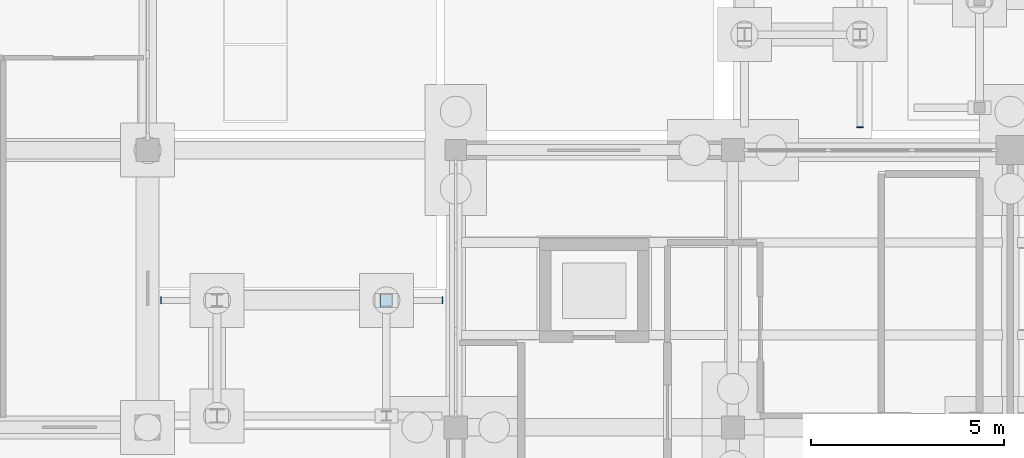
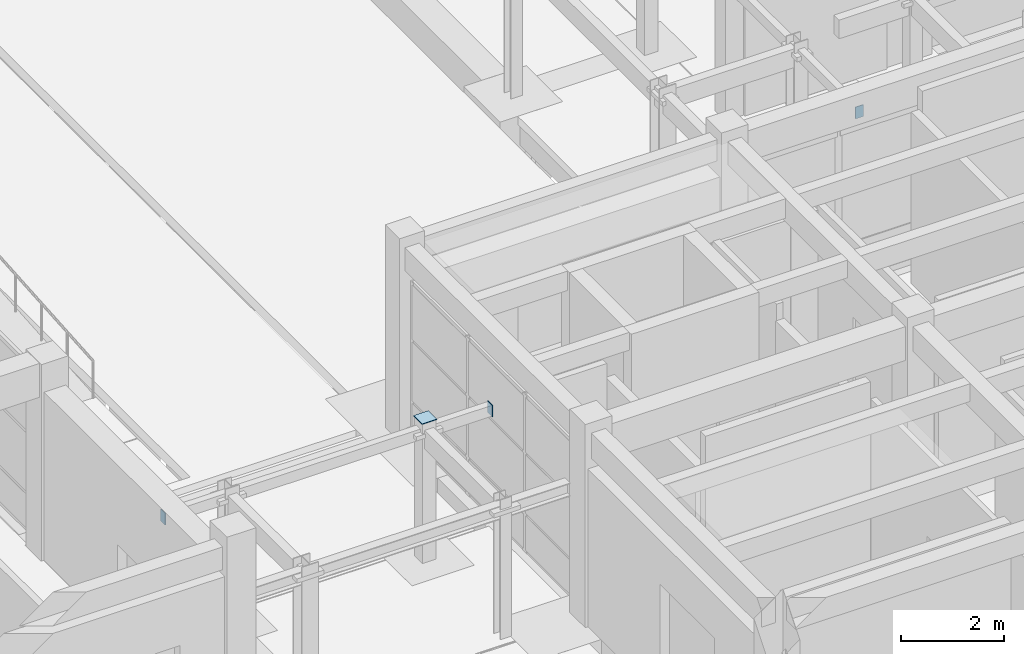
# One storey, part 88 of 143: 4 plates.
"""IFC4 building model written with IfcOpenShell, lengths in metres."""

from ifc_helpers import new_model, si_unit, direction, frame, origin, origin_2d, place, context, subcontext, project, spatial, rectangle, extrude, material, layer, layer_set, type_object, element, save


model = new_model("IFC4")

# Units and contexts
model_context = context("Model", 3, precision=1e-05, world=origin(), true_north=direction((0.0, 1.0)))
body_context = subcontext(model_context, "Body", "Model", "MODEL_VIEW")
ifc_project = project(units=[si_unit("LENGTHUNIT", "METRE"), si_unit("AREAUNIT", "SQUARE_METRE"), si_unit("VOLUMEUNIT", "CUBIC_METRE"), si_unit("PLANEANGLEUNIT", "RADIAN"), si_unit("MASSUNIT", "GRAM", prefix="KILO")], contexts=[model_context])

# Site, building, storey
site_placement = place(None, origin())
site = spatial("IfcSite", under=ifc_project, at=site_placement, CompositionType="ELEMENT")
building_placement = place(site_placement, origin())
building = spatial("IfcBuilding", under=site, at=building_placement, Name="Steenspoor Specialist Clinic", CompositionType="ELEMENT")
storey_placement = place(building_placement, origin())
storey = spatial("IfcBuildingStorey", under=building, at=storey_placement, Name="L00", CompositionType="ELEMENT", Elevation=0.0)

# Plates
ifc_material = material(Name="Steel A572 Grade 50", Category="steel")
ifc_layer = layer(ifc_material, 0.01611328125)
ifc_layer_set = layer_set([ifc_layer], Name="Steel A572 Grade 50")
plate_type = type_object("IfcPlateType", Name="PL-GUS-16", PredefinedType="SHEET", material=ifc_layer_set)
plate_1_placement = place(storey_placement, frame((43.39990234375, 37.949951171875, 3.2978515625), z_axis=(0.0, 0.0, 1.0), x_axis=(1.0, 0.0, 0.0)))
element("IfcPlate", 1, at=plate_1_placement, inside=storey, type_object=plate_type, Name="Hollow Column Top Cap Plate GP-16 13", PredefinedType="SHEET", context=body_context, shape_type="SweptSolid", body=[
    extrude(rectangle(XDim=0.3291015625, YDim=0.3291015625, at=origin_2d()), origin(), (0.0, 0.0, 1.0), 0.01611328125),
])
plate_2_placement = place(storey_placement, frame((55.699951171875, 42.444091796875, 3.369140625), z_axis=(0.0, 0.0, 1.0), x_axis=(1.0, 0.0, 0.0)))
element("IfcPlate", 2, at=plate_2_placement, inside=storey, type_object=plate_type, Name="Hollow Beam End Cap Plate GP-16 14", PredefinedType="SHEET", context=body_context, shape_type="SweptSolid", body=[
    extrude(rectangle(XDim=0.176025390625, YDim=0.01611328125, at=origin_2d()), origin(), (0.0, 0.0, 1.0), 0.278076171875),
])
for number, where, z_axis, x_axis, name in (
    (3, (37.5439453125, 37.949951171875, 2.869140625), (0.0, 0.0, 1.0), (1.0, 0.0, 0.0), "Hollow Beam End Cap Plate GP-16 18"),
    (4, (44.85595703125, 37.949951171875, 2.869140625), (0.0, 0.0, 1.0), (1.0, 0.0, 0.0), "Hollow Beam End Cap Plate GP-16 19"),
):
    element("IfcPlate", number, at=place(storey_placement, frame(where, z_axis=z_axis, x_axis=x_axis)), inside=storey, type_object=plate_type, Name=name, PredefinedType="SHEET", context=body_context, shape_type="SweptSolid", body=[
        extrude(rectangle(XDim=0.01611328125, YDim=0.176025390625, at=origin_2d()), origin(), (0.0, 0.0, 1.0), 0.278076171875),
    ])

save(model, "model.ifc")
